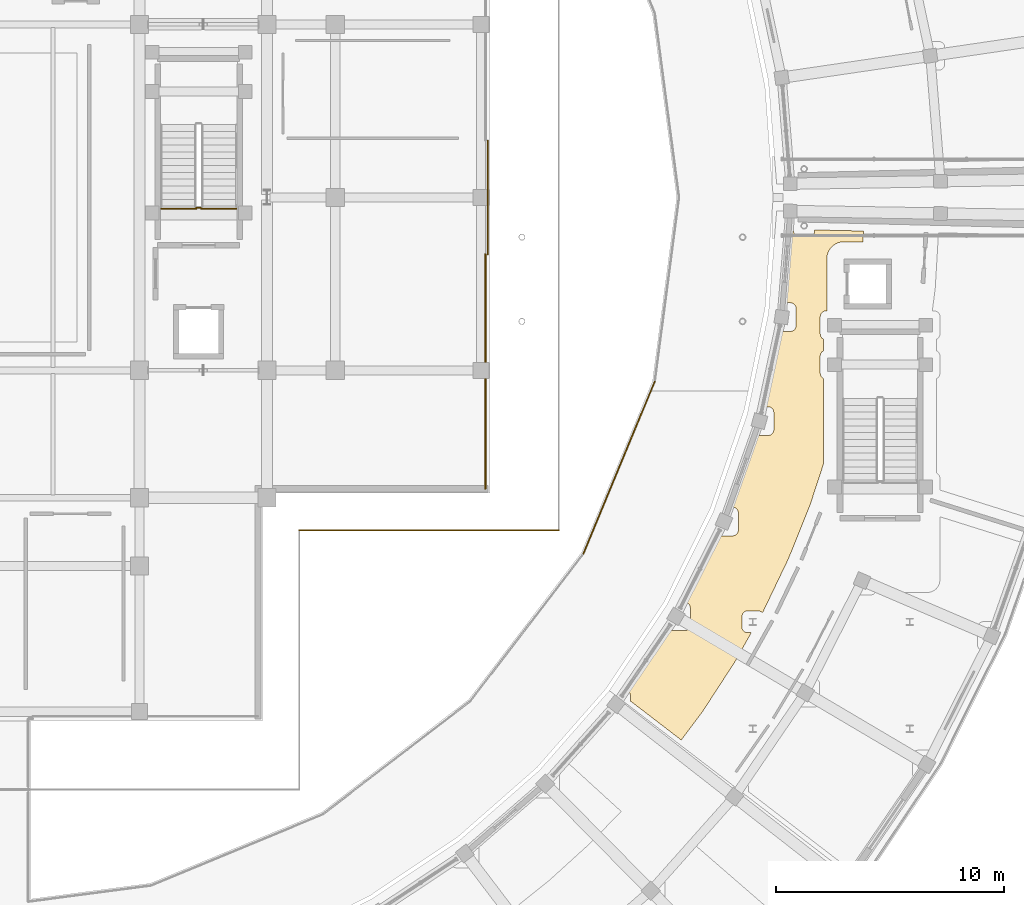
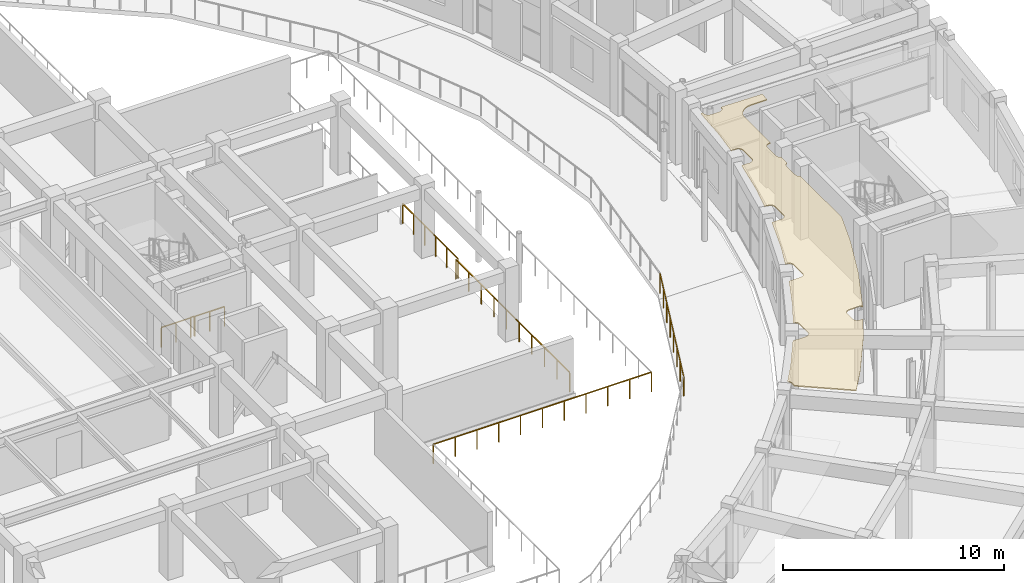
# One storey, part 76 of 83: 7 railings, 1 covering.
"""IFC4 building model written with IfcOpenShell, lengths in metres."""

from ifc_helpers import new_model, si_unit, direction, frame, origin, origin_2d, place, context, subcontext, project, spatial, polyline, rectangle, outline, extrude, material, layer, layer_set, type_object, element, save


model = new_model("IFC4")

# Units and contexts
model_context = context("Model", 3, precision=1e-05, world=origin(), true_north=direction((0.0, 1.0)))
body_context = subcontext(model_context, "Body", "Model", "MODEL_VIEW")
ifc_project = project(units=[si_unit("LENGTHUNIT", "METRE"), si_unit("AREAUNIT", "SQUARE_METRE"), si_unit("VOLUMEUNIT", "CUBIC_METRE"), si_unit("PLANEANGLEUNIT", "RADIAN"), si_unit("MASSUNIT", "GRAM", prefix="KILO")], contexts=[model_context])

# Site, building, storey
site_placement = place(None, origin())
site = spatial("IfcSite", under=ifc_project, at=site_placement, CompositionType="ELEMENT")
building_placement = place(site_placement, origin())
building = spatial("IfcBuilding", under=site, at=building_placement, Name="Saryqyr Civic Hall", CompositionType="ELEMENT")
storey_placement = place(building_placement, frame((0.0, 0.0, 9.14990234375)))
storey = spatial("IfcBuildingStorey", under=building, at=storey_placement, Name="L02", CompositionType="ELEMENT", Elevation=9.14990234375)

# Railing
ifc_material_1 = material(Name="Stainless steel and laminated glass", Category="steel")
ifc_layer_1 = layer(ifc_material_1, 0.06005859375, Name="Stainless steel and laminated glass")
ifc_layer_set_1 = layer_set([ifc_layer_1], Name="Stainless steel and laminated glass")
railing_type_1 = type_object("IfcRailingType", Name="ENV-RLG-BAL-1100", PredefinedType="BALUSTRADE", material=ifc_layer_set_1)
railing_1_placement = place(storey_placement, frame((71.6201171875, 69.3798828125, 0.0)))
element("IfcRailing", 1, at=railing_1_placement, inside=storey, type_object=railing_type_1, Name="Perimeter safety balustrade V1-STEPG-L02-G03", PredefinedType="BALUSTRADE", context=body_context, shape_type="SweptSolid", body=[
    extrude(rectangle(XDim=0.048095703125, YDim=0.048095703125, at=origin_2d()), frame((0.0, 0.0, 1.076171875), z_axis=(1.0, 0.0, 0.0), x_axis=(0.0, 1.0, 0.0)), (0.0, 0.0, 1.0), 11.39990234375),
    extrude(rectangle(XDim=0.0419921875, YDim=0.0419921875, at=origin_2d()), origin(), (0.0, 0.0, 1.0), 1.052001953125),
    extrude(rectangle(XDim=0.0419921875, YDim=0.0419921875, at=origin_2d()), frame((1.139892578125, 0.0, 0.0)), (0.0, 0.0, 1.0), 1.052001953125),
    extrude(rectangle(XDim=0.0419921875, YDim=0.0419921875, at=origin_2d()), frame((2.280029296875, 0.0, 0.0)), (0.0, 0.0, 1.0), 1.052001953125),
    extrude(rectangle(XDim=0.0419921875, YDim=0.0419921875, at=origin_2d()), frame((3.419921875, 0.0, 0.0)), (0.0, 0.0, 1.0), 1.052001953125),
    extrude(rectangle(XDim=0.0419921875, YDim=0.0419921875, at=origin_2d()), frame((4.56005859375, 0.0, 0.0)), (0.0, 0.0, 1.0), 1.052001953125),
    extrude(rectangle(XDim=0.0419921875, YDim=0.0419921875, at=origin_2d()), frame((5.699951171875, 0.0, 0.0)), (0.0, 0.0, 1.0), 1.052001953125),
    extrude(rectangle(XDim=0.0419921875, YDim=0.0419921875, at=origin_2d()), frame((6.83984375, 0.0, 0.0)), (0.0, 0.0, 1.0), 1.052001953125),
    extrude(rectangle(XDim=0.0419921875, YDim=0.0419921875, at=origin_2d()), frame((7.97998046875, 0.0, 0.0)), (0.0, 0.0, 1.0), 1.052001953125),
    extrude(rectangle(XDim=0.0419921875, YDim=0.0419921875, at=origin_2d()), frame((9.119873046875, 0.0, 0.0)), (0.0, 0.0, 1.0), 1.052001953125),
    extrude(rectangle(XDim=0.0419921875, YDim=0.0419921875, at=origin_2d()), frame((10.260009765625, 0.0, 0.0)), (0.0, 0.0, 1.0), 1.052001953125),
    extrude(rectangle(XDim=0.0419921875, YDim=0.0419921875, at=origin_2d()), frame((11.39990234375, 0.0, 0.0)), (0.0, 0.0, 1.0), 1.052001953125),
])

# Covering
ifc_material_2 = material(Name="Mineral-fibre acoustic ceiling tile", Category="acoustic_tile")
ifc_layer_2 = layer(ifc_material_2, 0.06005859375, Name="Mineral-fibre acoustic ceiling tile")
ifc_layer_set_2 = layer_set([ifc_layer_2], Name="Mineral-fibre acoustic ceiling tile")
covering_type = type_object("IfcCoveringType", Name="INT-COV-CEIL-60", PredefinedType="CEILING", material=ifc_layer_set_2)
covering_placement = place(storey_placement, frame((0.0, 0.0, 3.72998046875)))
element("IfcCovering", 2, at=covering_placement, inside=storey, type_object=covering_type, Name="Acoustic ceiling Departmental Collaboration Hub", PredefinedType="CEILING", context=body_context, shape_type="SweptSolid", body=[
    extrude(outline(polyline([(91.968505859375, 65.743896484375), (91.956787109375, 65.7568359375), (91.938720703125, 65.773193359375), (91.9189453125, 65.787841796875), (91.897705078125, 65.800537109375), (91.875732421875, 65.81103515625), (91.8525390625, 65.819091796875), (91.828857421875, 65.8251953125), (91.804443359375, 65.828857421875), (91.780029296875, 65.830078125), (91.320068359375, 65.830078125), (91.29541015625, 65.828857421875), (91.271240234375, 65.8251953125), (91.247314453125, 65.819091796875), (91.224365234375, 65.81103515625), (91.2021484375, 65.800537109375), (91.18115234375, 65.787841796875), (91.161376953125, 65.773193359375), (91.143310546875, 65.7568359375), (91.126708984375, 65.738525390625), (91.112060546875, 65.718994140625), (91.099609375, 65.69775390625), (91.089111328125, 65.67578125), (91.080810546875, 65.652587890625), (91.07470703125, 65.62890625), (91.0712890625, 65.6044921875), (91.070068359375, 65.580078125), (91.070068359375, 65.1201171875), (91.0712890625, 65.095458984375), (91.07470703125, 65.0712890625), (91.080810546875, 65.04736328125), (91.089111328125, 65.0244140625), (91.099609375, 65.002197265625), (91.112060546875, 64.981201171875), (91.126708984375, 64.96142578125), (91.143310546875, 64.943115234375), (91.161376953125, 64.9267578125), (91.18115234375, 64.912109375), (91.2021484375, 64.8994140625), (91.224365234375, 64.888916015625), (91.247314453125, 64.880859375), (91.271240234375, 64.874755859375), (91.29541015625, 64.87109375), (91.320068359375, 64.8701171875), (91.477783203125, 64.8701171875), (90.75, 63.57421875), (89.35009765625, 61.42236328125), (88.4033203125, 60.155517578125), (86.165771484375, 61.87255859375), (86.165771484375, 62.10546875), (86.16455078125, 62.1298828125), (86.160888671875, 62.154296875), (86.15478515625, 62.177978515625), (86.146728515625, 62.201171875), (86.13623046875, 62.223388671875), (86.12353515625, 62.244384765625), (86.10888671875, 62.26416015625), (86.092529296875, 62.2822265625), (86.07421875, 62.298828125), (86.0546875, 62.3134765625), (86.050537109375, 62.31591796875), (86.732177734375, 63.2275390625), (86.752685546875, 63.257080078125), (87.85986328125, 64.958984375), (88.548583984375, 64.958984375), (88.572998046875, 64.960205078125), (88.597412109375, 64.9638671875), (88.62109375, 64.9697265625), (88.644287109375, 64.97802734375), (88.666259765625, 64.988525390625), (88.6875, 65.001220703125), (88.70703125, 65.015625), (88.725341796875, 65.0322265625), (88.74169921875, 65.05029296875), (88.75634765625, 65.070068359375), (88.76904296875, 65.09130859375), (88.779541015625, 65.11328125), (88.78759765625, 65.136474609375), (88.793701171875, 65.16015625), (88.79736328125, 65.1845703125), (88.798583984375, 65.208984375), (88.798583984375, 65.968994140625), (88.79736328125, 65.993408203125), (88.793701171875, 66.017822265625), (88.78759765625, 66.04150390625), (88.779541015625, 66.064697265625), (88.76904296875, 66.0869140625), (88.75634765625, 66.10791015625), (88.74169921875, 66.127685546875), (88.725341796875, 66.145751953125), (88.70703125, 66.162353515625), (88.6875, 66.177001953125), (88.666259765625, 66.189453125), (88.644287109375, 66.199951171875), (88.62109375, 66.208251953125), (88.597412109375, 66.214111328125), (88.5888671875, 66.21533203125), (89.177001953125, 67.2626953125), (89.193603515625, 67.29443359375), (90.072265625, 69.129638671875), (90.661376953125, 69.129638671875), (90.685791015625, 69.130859375), (90.710205078125, 69.134521484375), (90.73388671875, 69.140380859375), (90.757080078125, 69.148681640625), (90.779296875, 69.1591796875), (90.80029296875, 69.171630859375), (90.820068359375, 69.186279296875), (90.838134765625, 69.202880859375), (90.854736328125, 69.220947265625), (90.869384765625, 69.24072265625), (90.8818359375, 69.26171875), (90.892333984375, 69.283935546875), (90.900634765625, 69.306884765625), (90.906494140625, 69.330810546875), (90.91015625, 69.35498046875), (90.911376953125, 69.379638671875), (90.911376953125, 70.1396484375), (90.91015625, 70.1640625), (90.906494140625, 70.1884765625), (90.900634765625, 70.212158203125), (90.892333984375, 70.2353515625), (90.8818359375, 70.25732421875), (90.869384765625, 70.278564453125), (90.854736328125, 70.298095703125), (90.838134765625, 70.31640625), (90.820068359375, 70.3330078125), (90.80029296875, 70.347412109375), (90.779296875, 70.360107421875), (90.757080078125, 70.37060546875), (90.73388671875, 70.37890625), (90.710205078125, 70.384765625), (90.685791015625, 70.388427734375), (90.661376953125, 70.3896484375), (90.599365234375, 70.3896484375), (91.077392578125, 71.580810546875), (91.089599609375, 71.614501953125), (91.71923828125, 73.537841796875), (92.21923828125, 73.537841796875), (92.24365234375, 73.5390625), (92.26806640625, 73.54248046875), (92.291748046875, 73.548583984375), (92.31494140625, 73.556884765625), (92.3369140625, 73.5673828125), (92.358154296875, 73.579833984375), (92.377685546875, 73.594482421875), (92.39599609375, 73.611083984375), (92.41259765625, 73.629150390625), (92.427001953125, 73.64892578125), (92.439697265625, 73.669921875), (92.4501953125, 73.692138671875), (92.45849609375, 73.715087890625), (92.46435546875, 73.739013671875), (92.468017578125, 73.76318359375), (92.46923828125, 73.787841796875), (92.46923828125, 74.5478515625), (92.468017578125, 74.572265625), (92.46435546875, 74.5966796875), (92.45849609375, 74.620361328125), (92.4501953125, 74.6435546875), (92.439697265625, 74.66552734375), (92.427001953125, 74.686767578125), (92.41259765625, 74.706298828125), (92.39599609375, 74.724609375), (92.377685546875, 74.7412109375), (92.358154296875, 74.755615234375), (92.3369140625, 74.768310546875), (92.31494140625, 74.77880859375), (92.291748046875, 74.787109375), (92.26806640625, 74.79296875), (92.24365234375, 74.796630859375), (92.21923828125, 74.7978515625), (92.064208984375, 74.7978515625), (92.40087890625, 76.109375), (92.40869140625, 76.144287109375), (92.779296875, 78.10986328125), (93.19580078125, 78.10986328125), (93.22021484375, 78.111083984375), (93.24462890625, 78.11474609375), (93.268310546875, 78.12060546875), (93.29150390625, 78.12890625), (93.313720703125, 78.139404296875), (93.334716796875, 78.152099609375), (93.3544921875, 78.16650390625), (93.37255859375, 78.18310546875), (93.38916015625, 78.201416015625), (93.40380859375, 78.220947265625), (93.416259765625, 78.2421875), (93.4267578125, 78.26416015625), (93.43505859375, 78.287353515625), (93.44091796875, 78.31103515625), (93.444580078125, 78.33544921875), (93.44580078125, 78.35986328125), (93.44580078125, 79.119873046875), (93.444580078125, 79.144287109375), (93.44091796875, 79.168701171875), (93.43505859375, 79.1923828125), (93.4267578125, 79.215576171875), (93.416259765625, 79.23779296875), (93.40380859375, 79.2587890625), (93.38916015625, 79.278564453125), (93.37255859375, 79.296630859375), (93.3544921875, 79.313232421875), (93.334716796875, 79.327880859375), (93.313720703125, 79.34033203125), (93.29150390625, 79.350830078125), (93.268310546875, 79.359130859375), (93.24462890625, 79.364990234375), (93.22021484375, 79.36865234375), (93.19580078125, 79.369873046875), (92.955078125, 79.369873046875), (93.125732421875, 80.771240234375), (93.12890625, 80.806884765625), (93.2294921875, 82.595947265625), (93.33349609375, 82.593505859375), (93.33349609375, 82.533447265625), (93.334716796875, 82.509033203125), (93.33837890625, 82.484619140625), (93.34423828125, 82.4609375), (93.3525390625, 82.437744140625), (93.363037109375, 82.415771484375), (93.37548828125, 82.39453125), (93.39013671875, 82.375), (93.40673828125, 82.356689453125), (93.4248046875, 82.340087890625), (93.444580078125, 82.32568359375), (93.4658203125, 82.31298828125), (93.48779296875, 82.302490234375), (93.510986328125, 82.294189453125), (93.53466796875, 82.288330078125), (93.55908203125, 82.28466796875), (93.58349609375, 82.283447265625), (94.0166015625, 82.283447265625), (94.041015625, 82.28466796875), (94.065185546875, 82.288330078125), (94.089111328125, 82.294189453125), (94.1123046875, 82.302490234375), (94.13427734375, 82.31298828125), (94.155517578125, 82.32568359375), (94.175048828125, 82.340087890625), (94.193359375, 82.356689453125), (94.209716796875, 82.375), (94.224365234375, 82.39453125), (94.237060546875, 82.415771484375), (94.24755859375, 82.437744140625), (94.255615234375, 82.4609375), (94.26171875, 82.484619140625), (94.265380859375, 82.509033203125), (94.2666015625, 82.533447265625), (94.2666015625, 82.571533203125), (96.407958984375, 82.52099609375), (96.38134765625, 82.050048828125), (95.550048828125, 82.050048828125), (95.530517578125, 82.049560546875), (95.49609375, 82.0478515625), (95.45703125, 82.0439453125), (95.423095703125, 82.038818359375), (95.384521484375, 82.03125), (95.351318359375, 82.02294921875), (95.313720703125, 82.011474609375), (95.28125, 82.0), (95.2451171875, 81.985107421875), (95.214111328125, 81.97021484375), (95.179443359375, 81.951904296875), (95.14990234375, 81.93408203125), (95.1171875, 81.912353515625), (95.089599609375, 81.891845703125), (95.059326171875, 81.866943359375), (95.033935546875, 81.843994140625), (95.006103515625, 81.816162109375), (94.983154296875, 81.790771484375), (94.958251953125, 81.76025390625), (94.937744140625, 81.732666015625), (94.916015625, 81.7001953125), (94.898193359375, 81.670654296875), (94.879638671875, 81.635986328125), (94.864990234375, 81.60498046875), (94.85009765625, 81.568603515625), (94.83837890625, 81.536376953125), (94.8271484375, 81.498779296875), (94.818603515625, 81.465576171875), (94.81103515625, 81.427001953125), (94.805908203125, 81.39306640625), (94.80224609375, 81.35400390625), (94.800537109375, 81.319580078125), (94.800048828125, 81.300048828125), (94.800048828125, 79.10009765625), (94.800537109375, 79.080322265625), (94.80224609375, 79.046142578125), (94.8056640625, 79.010009765625), (94.760009765625, 79.010009765625), (94.735595703125, 79.0087890625), (94.711181640625, 79.005126953125), (94.6875, 78.999267578125), (94.664306640625, 78.990966796875), (94.64208984375, 78.98046875), (94.62109375, 78.968017578125), (94.601318359375, 78.953369140625), (94.583251953125, 78.936767578125), (94.566650390625, 78.918701171875), (94.552001953125, 78.89892578125), (94.53955078125, 78.877685546875), (94.529052734375, 78.855712890625), (94.520751953125, 78.83251953125), (94.514892578125, 78.808837890625), (94.51123046875, 78.784423828125), (94.510009765625, 78.760009765625), (94.510009765625, 78.0), (94.51123046875, 77.9755859375), (94.514892578125, 77.951171875), (94.520751953125, 77.927490234375), (94.529052734375, 77.904296875), (94.53955078125, 77.882080078125), (94.552001953125, 77.861083984375), (94.566650390625, 77.84130859375), (94.583251953125, 77.8232421875), (94.601318359375, 77.806640625), (94.62109375, 77.7919921875), (94.64208984375, 77.779541015625), (94.659912109375, 77.77099609375), (94.659912109375, 77.2587890625), (94.64208984375, 77.25048828125), (94.62109375, 77.23779296875), (94.601318359375, 77.223388671875), (94.583251953125, 77.206787109375), (94.566650390625, 77.188720703125), (94.552001953125, 77.1689453125), (94.53955078125, 77.147705078125), (94.529052734375, 77.125732421875), (94.520751953125, 77.1025390625), (94.514892578125, 77.078857421875), (94.51123046875, 77.054443359375), (94.510009765625, 77.030029296875), (94.510009765625, 76.27001953125), (94.51123046875, 76.24560546875), (94.514892578125, 76.22119140625), (94.520751953125, 76.197509765625), (94.529052734375, 76.17431640625), (94.53955078125, 76.152099609375), (94.552001953125, 76.131103515625), (94.566650390625, 76.111328125), (94.583251953125, 76.09326171875), (94.601318359375, 76.07666015625), (94.62109375, 76.06201171875), (94.64208984375, 76.049560546875), (94.659912109375, 76.041015625), (94.659912109375, 72.307861328125), (94.07177734375, 70.51025390625), (93.11572265625, 68.127685546875), (92.007080078125, 65.8125), (91.968505859375, 65.743896484375)])), origin(), (0.0, 0.0, 1.0), 0.06005859375),
])

# Railings
ifc_material_3 = material(Name="Warm brushed brass and laminated glass", Category="glass")
ifc_layer_3 = layer(ifc_material_3, 0.06005859375, Name="Warm brushed brass and laminated glass")
ifc_layer_set_3 = layer_set([ifc_layer_3], Name="Warm brushed brass and laminated glass")
railing_type_2 = type_object("IfcRailingType", Name="INT-RLG-BAL-1100", PredefinedType="BALUSTRADE", material=ifc_layer_set_3)
railing_2_placement = place(storey_placement, frame((79.800048828125, 71.199951171875, 0.0)))
element("IfcRailing", 3, at=railing_2_placement, inside=storey, type_object=railing_type_2, Name="Perimeter safety balustrade V1-JNTGA-L02-08-G01", PredefinedType="BALUSTRADE", context=body_context, shape_type="SweptSolid", body=[
    extrude(rectangle(XDim=0.048095703125, YDim=0.048095703125, at=origin_2d()), frame((0.0, 0.0, 1.076171875), z_axis=(0.0, 1.0, 0.0), x_axis=(-1.0, 0.0, 0.0)), (0.0, 0.0, 1.0), 10.300048828125),
    extrude(rectangle(XDim=0.0419921875, YDim=0.0419921875, at=origin_2d()), origin(), (0.0, 0.0, 1.0), 1.052001953125),
    extrude(rectangle(XDim=0.0419921875, YDim=0.0419921875, at=origin_2d()), frame((0.0, 1.14453125, 0.0)), (0.0, 0.0, 1.0), 1.052001953125),
    extrude(rectangle(XDim=0.0419921875, YDim=0.0419921875, at=origin_2d()), frame((0.0, 2.288818359375, 0.0)), (0.0, 0.0, 1.0), 1.052001953125),
    extrude(rectangle(XDim=0.0419921875, YDim=0.0419921875, at=origin_2d()), frame((0.0, 3.433349609375, 0.0)), (0.0, 0.0, 1.0), 1.052001953125),
    extrude(rectangle(XDim=0.0419921875, YDim=0.0419921875, at=origin_2d()), frame((0.0, 4.577880859375, 0.0)), (0.0, 0.0, 1.0), 1.052001953125),
    extrude(rectangle(XDim=0.0419921875, YDim=0.0419921875, at=origin_2d()), frame((0.0, 5.72216796875, 0.0)), (0.0, 0.0, 1.0), 1.052001953125),
    extrude(rectangle(XDim=0.0419921875, YDim=0.0419921875, at=origin_2d()), frame((0.0, 6.86669921875, 0.0)), (0.0, 0.0, 1.0), 1.052001953125),
    extrude(rectangle(XDim=0.0419921875, YDim=0.0419921875, at=origin_2d()), frame((0.0, 8.01123046875, 0.0)), (0.0, 0.0, 1.0), 1.052001953125),
    extrude(rectangle(XDim=0.0419921875, YDim=0.0419921875, at=origin_2d()), frame((0.0, 9.155517578125, 0.0)), (0.0, 0.0, 1.0), 1.052001953125),
    extrude(rectangle(XDim=0.0419921875, YDim=0.0419921875, at=origin_2d()), frame((0.0, 10.300048828125, 0.0)), (0.0, 0.0, 1.0), 1.052001953125),
])
railing_3_placement = place(storey_placement, frame((67.300048828125, 83.550048828125, 0.0)))
element("IfcRailing", 4, at=railing_3_placement, inside=storey, type_object=railing_type_2, Name="L02 ST-2 stair guard 4", PredefinedType="BALUSTRADE", context=body_context, shape_type="SweptSolid", body=[
    extrude(rectangle(XDim=0.048095703125, YDim=0.048095703125, at=origin_2d()), frame((0.0, 0.0, 1.076171875), z_axis=(-1.0, 0.0, 0.0), x_axis=(0.0, -1.0, 0.0)), (0.0, 0.0, 1.0), 0.199951171875),
    extrude(rectangle(XDim=0.0419921875, YDim=0.0419921875, at=origin_2d()), origin(), (0.0, 0.0, 1.0), 1.052001953125),
    extrude(rectangle(XDim=0.0419921875, YDim=0.0419921875, at=origin_2d()), frame((-0.199951171875, 0.0, 0.0)), (0.0, 0.0, 1.0), 1.052001953125),
])
railing_4_placement = place(storey_placement, frame((79.89990234375, 86.5, 0.0)))
element("IfcRailing", 5, at=railing_4_placement, inside=storey, type_object=railing_type_2, Name="Interior deck safety balustrade L02-056", PredefinedType="BALUSTRADE", context=body_context, shape_type="SweptSolid", body=[
    extrude(rectangle(XDim=0.048095703125, YDim=0.048095703125, at=origin_2d()), frame((0.0, 0.0, 1.09619140625), z_axis=(0.0, -1.0, 0.0), x_axis=(1.0, 0.0, 0.0)), (0.0, 0.0, 1.0), 5.0),
    extrude(rectangle(XDim=0.0419921875, YDim=0.0419921875, at=origin_2d()), origin(), (0.0, 0.0, 1.0), 1.072021484375),
    extrude(rectangle(XDim=0.0419921875, YDim=0.0419921875, at=origin_2d()), frame((0.0, -1.0, 0.0)), (0.0, 0.0, 1.0), 1.072021484375),
    extrude(rectangle(XDim=0.0419921875, YDim=0.0419921875, at=origin_2d()), frame((0.0, -2.0, 0.0)), (0.0, 0.0, 1.0), 1.072021484375),
    extrude(rectangle(XDim=0.0419921875, YDim=0.0419921875, at=origin_2d()), frame((0.0, -3.0, 0.0)), (0.0, 0.0, 1.0), 1.072021484375),
    extrude(rectangle(XDim=0.0419921875, YDim=0.0419921875, at=origin_2d()), frame((0.0, -4.0, 0.0)), (0.0, 0.0, 1.0), 1.072021484375),
    extrude(rectangle(XDim=0.0419921875, YDim=0.0419921875, at=origin_2d()), frame((0.0, -5.0, 0.0)), (0.0, 0.0, 1.0), 1.072021484375),
])
railing_5_placement = place(storey_placement, frame((84.107421875, 68.349609375, 0.0)))
element("IfcRailing", 6, at=railing_5_placement, inside=storey, type_object=railing_type_2, Name="Interior deck safety balustrade L02-064", PredefinedType="BALUSTRADE", context=body_context, shape_type="SweptSolid", body=[
    extrude(rectangle(XDim=0.048095703125, YDim=0.048095703125, at=origin_2d()), frame((0.0, 0.0, 1.09619140625), z_axis=(0.382686044841, 0.923878450384, 0.0), x_axis=(-0.923878450384, 0.382686044841, 0.0)), (0.0, 0.0, 1.0), 8.171142578125),
    extrude(rectangle(XDim=0.0419921875, YDim=0.0419921875, at=origin_2d()), origin(), (0.0, 0.0, 1.0), 1.072021484375),
    extrude(rectangle(XDim=0.0419921875, YDim=0.0419921875, at=origin_2d()), frame((0.44677734375, 1.078369140625, 0.0)), (0.0, 0.0, 1.0), 1.072021484375),
    extrude(rectangle(XDim=0.0419921875, YDim=0.0419921875, at=origin_2d()), frame((0.893310546875, 2.156982421875, 0.0)), (0.0, 0.0, 1.0), 1.072021484375),
    extrude(rectangle(XDim=0.0419921875, YDim=0.0419921875, at=origin_2d()), frame((1.340087890625, 3.2353515625, 0.0)), (0.0, 0.0, 1.0), 1.072021484375),
    extrude(rectangle(XDim=0.0419921875, YDim=0.0419921875, at=origin_2d()), frame((1.786865234375, 4.313720703125, 0.0)), (0.0, 0.0, 1.0), 1.072021484375),
    extrude(rectangle(XDim=0.0419921875, YDim=0.0419921875, at=origin_2d()), frame((2.233642578125, 5.39208984375, 0.0)), (0.0, 0.0, 1.0), 1.072021484375),
    extrude(rectangle(XDim=0.0419921875, YDim=0.0419921875, at=origin_2d()), frame((2.68017578125, 6.470703125, 0.0)), (0.0, 0.0, 1.0), 1.072021484375),
    extrude(rectangle(XDim=0.0419921875, YDim=0.0419921875, at=origin_2d()), frame((3.126953125, 7.549072265625, 0.0)), (0.0, 0.0, 1.0), 1.072021484375),
])
railing_6_placement = place(storey_placement, frame((65.544921875, 83.5, 0.0)))
element("IfcRailing", 7, at=railing_6_placement, inside=storey, type_object=railing_type_2, Name="Interior deck safety balustrade L02-075", PredefinedType="BALUSTRADE", context=body_context, shape_type="SweptSolid", body=[
    extrude(rectangle(XDim=0.048095703125, YDim=0.048095703125, at=origin_2d()), frame((0.0, 0.0, 1.09619140625), z_axis=(1.0, 0.0, 0.0), x_axis=(0.0, 1.0, 0.0)), (0.0, 0.0, 1.0), 1.55517578125),
    extrude(rectangle(XDim=0.0419921875, YDim=0.0419921875, at=origin_2d()), origin(), (0.0, 0.0, 1.0), 1.072021484375),
    extrude(rectangle(XDim=0.0419921875, YDim=0.0419921875, at=origin_2d()), frame((0.777587890625, 0.0, 0.0)), (0.0, 0.0, 1.0), 1.072021484375),
    extrude(rectangle(XDim=0.0419921875, YDim=0.0419921875, at=origin_2d()), frame((1.55517578125, 0.0, 0.0)), (0.0, 0.0, 1.0), 1.072021484375),
])
railing_7_placement = place(storey_placement, frame((67.300048828125, 83.5, 0.0)))
element("IfcRailing", 8, at=railing_7_placement, inside=storey, type_object=railing_type_2, Name="Interior deck safety balustrade L02-076", PredefinedType="BALUSTRADE", context=body_context, shape_type="SweptSolid", body=[
    extrude(rectangle(XDim=0.048095703125, YDim=0.048095703125, at=origin_2d()), frame((0.0, 0.0, 1.09619140625), z_axis=(1.0, 0.0, 0.0), x_axis=(0.0, 1.0, 0.0)), (0.0, 0.0, 1.0), 1.554931640625),
    extrude(rectangle(XDim=0.0419921875, YDim=0.0419921875, at=origin_2d()), origin(), (0.0, 0.0, 1.0), 1.072021484375),
    extrude(rectangle(XDim=0.0419921875, YDim=0.0419921875, at=origin_2d()), frame((0.77734375, 0.0, 0.0)), (0.0, 0.0, 1.0), 1.072021484375),
    extrude(rectangle(XDim=0.0419921875, YDim=0.0419921875, at=origin_2d()), frame((1.554931640625, 0.0, 0.0)), (0.0, 0.0, 1.0), 1.072021484375),
])

save(model, "model.ifc")
